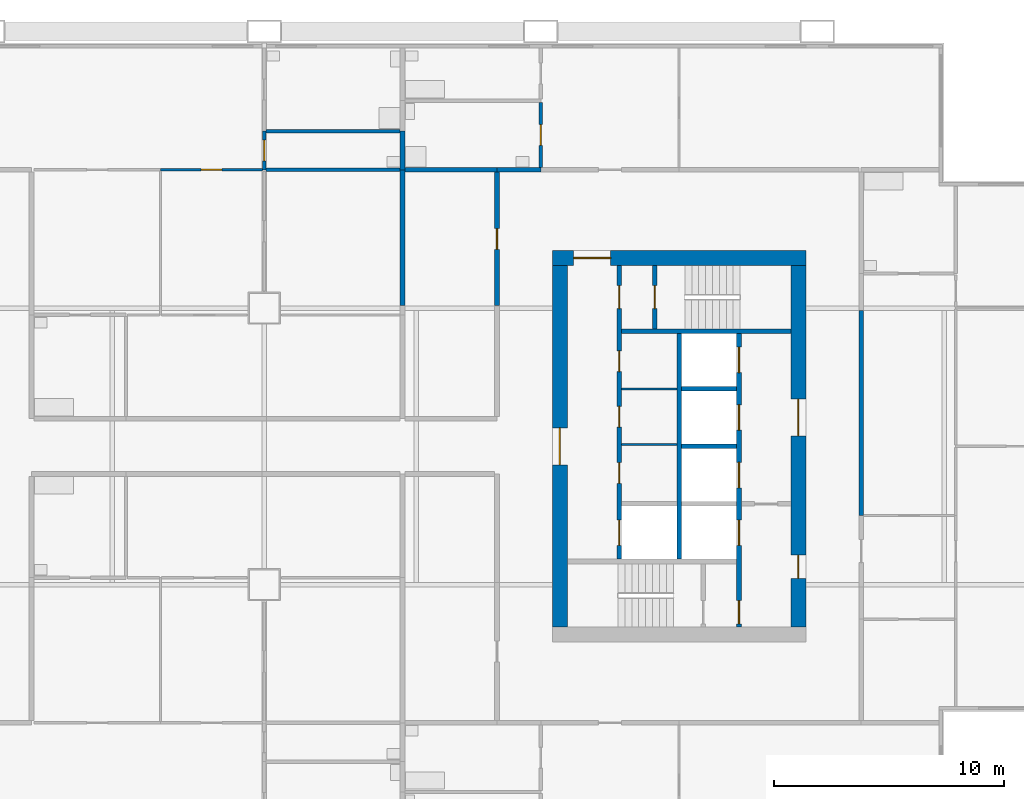
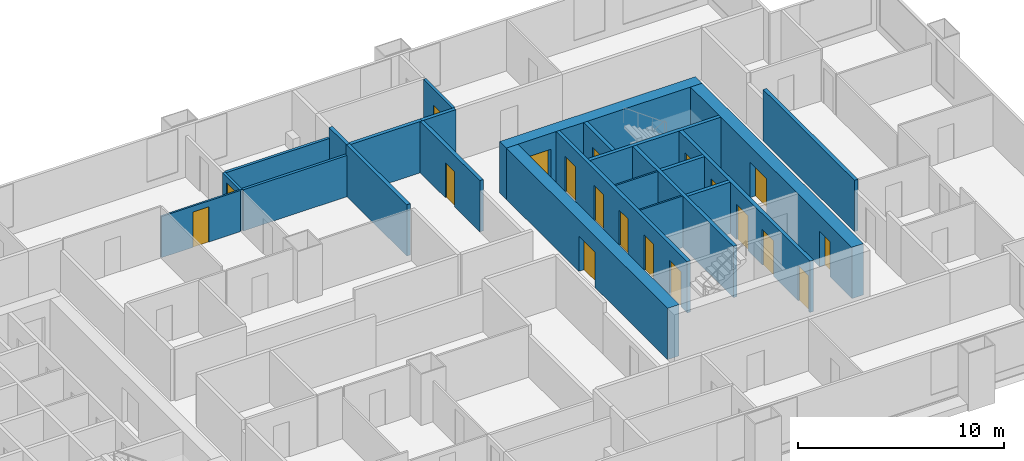
# One storey, part 6 of 10: 23 walls, 19 doors, 19 openings.
"""IFC4 building model written with IfcOpenShell, lengths in metres."""

from ifc_helpers import new_model, si_unit, direction, frame, frame_2d, origin, place, context, subcontext, project, spatial, rectangle, extrude, material, layer, layer_set, type_object, element, fill, save


model = new_model("IFC4")

# Units and contexts
model_context = context("Model", 3, precision=1e-05, world=origin(), true_north=direction((0.0, 1.0)))
body_context = subcontext(model_context, "Body", "Model", "MODEL_VIEW")
ifc_project = project(units=[si_unit("LENGTHUNIT", "METRE"), si_unit("AREAUNIT", "SQUARE_METRE"), si_unit("VOLUMEUNIT", "CUBIC_METRE"), si_unit("PLANEANGLEUNIT", "RADIAN"), si_unit("MASSUNIT", "GRAM", prefix="KILO")], contexts=[model_context])

# Site, building, storey
site_placement = place(None, origin())
site = spatial("IfcSite", under=ifc_project, at=site_placement, CompositionType="ELEMENT")
building_placement = place(site_placement, origin())
building = spatial("IfcBuilding", under=site, at=building_placement, Name="Kitamizu Gate Tower and Museum", CompositionType="ELEMENT")
storey_placement = place(building_placement, frame((0.0, 0.0, 117.300048828125)))
storey = spatial("IfcBuildingStorey", under=building, at=storey_placement, Name="L30", CompositionType="ELEMENT", Elevation=117.300048828125)

# Wall, opening, door
ifc_material_1 = material(Name="Concrete Fc60", Category="concrete")
ifc_layer_1 = layer(ifc_material_1, 0.64990234375)
ifc_layer_set_1 = layer_set([ifc_layer_1], Name="Concrete Fc60")
wall_type_1 = type_object("IfcWallType", Name="Core wall 650", PredefinedType="SHEAR", material=ifc_layer_set_1)
wall_1_placement = place(storey_placement, frame((59.5, 38.175048828125, 0.0), z_axis=(0.0, 0.0, 1.0), x_axis=(-1.0, 0.0, 0.0)))
wall_1 = element("IfcWall", 1, at=wall_1_placement, inside=storey, type_object=wall_type_1, Name="Core wall EN", PredefinedType="SHEAR", context=body_context, shape_type="SweptSolid", body=[
    extrude(rectangle(XDim=11.0, YDim=0.64990234375, at=frame_2d((5.5, 0.0))), origin(), (0.0, 0.0, 1.0), 3.050048828125),
])
opening_1_placement = place(wall_1_placement, frame((8.47509765625, 0.0, 0.0)))
opening_1 = element("IfcOpeningElement", 2, at=opening_1_placement, cuts=wall_1, Name="Opening L30-067", PredefinedType="OPENING", context=body_context, shape_type="SweptSolid", body=[
    extrude(rectangle(XDim=1.60009765625, YDim=2.10009765625, at=frame_2d((0.800048828125, 1.050048828125))), frame((0.0, 0.3349609375, 0.0), z_axis=(0.0, -1.0, 0.0), x_axis=(1.0, 0.0, 0.0)), (0.0, 0.0, 1.0), 0.669921875),
])
ifc_material_2 = material(Name="Timber door set", Category="wood")
door_type_1 = type_object("IfcDoorType", Name="Entrance door 1600", OperationType="DOUBLE_DOOR_SINGLE_SWING", PredefinedType="DOOR", material=ifc_material_2)
door_1_placement = place(opening_1_placement, origin())
door_1 = element("IfcDoor", 3, at=door_1_placement, inside=storey, type_object=door_type_1, Name="Lobby door L30-067", OperationType="DOUBLE_DOOR_SINGLE_SWING", OverallHeight=2.10009765625, OverallWidth=1.60009765625, PredefinedType="DOOR", context=body_context, shape_type="SweptSolid", body=[
    extrude(rectangle(XDim=1.60009765625, YDim=2.10009765625, at=frame_2d((0.800048828125, 1.050048828125))), frame((0.0, 0.02490234375, 0.0), z_axis=(0.0, -1.0, 0.0), x_axis=(1.0, 0.0, 0.0)), (0.0, 0.0, 1.0), 0.050048828125),
])
fill(opening_1, door_1)

# Wall, openings, doors
wall_2_placement = place(storey_placement, frame((59.175048828125, 22.14990234375, 0.0), z_axis=(0.0, 0.0, 1.0), x_axis=(0.0, 1.0, 0.0)))
wall_2 = element("IfcWall", 4, at=wall_2_placement, inside=storey, type_object=wall_type_1, Name="Core wall EOUT", PredefinedType="SHEAR", context=body_context, shape_type="SweptSolid", body=[
    extrude(rectangle(XDim=15.7001953125, YDim=0.64990234375, at=frame_2d((7.85009765625, 0.0))), origin(), (0.0, 0.0, 1.0), 3.050048828125),
])
opening_2_placement = place(wall_2_placement, frame((8.300048828125, 0.0, 0.0)))
opening_2 = element("IfcOpeningElement", 5, at=opening_2_placement, cuts=wall_2, Name="Opening L30-065", PredefinedType="OPENING", context=body_context, shape_type="SweptSolid", body=[
    extrude(rectangle(XDim=1.60009765625, YDim=2.10009765625, at=frame_2d((0.800048828125, 1.050048828125))), frame((0.0, 0.3349609375, 0.0), z_axis=(0.0, -1.0, 0.0), x_axis=(1.0, 0.0, 0.0)), (0.0, 0.0, 1.0), 0.669921875),
])
opening_3_placement = place(wall_2_placement, frame((2.125, 0.0, 0.0)))
opening_3 = element("IfcOpeningElement", 6, at=opening_3_placement, cuts=wall_2, Name="Opening L30-066", PredefinedType="OPENING", context=body_context, shape_type="SweptSolid", body=[
    extrude(rectangle(XDim=1.0, YDim=2.10009765625, at=frame_2d((0.5, 1.050048828125))), frame((0.0, 0.3349609375, 0.0), z_axis=(0.0, -1.0, 0.0), x_axis=(1.0, 0.0, 0.0)), (0.0, 0.0, 1.0), 0.669921875),
])
door_2_placement = place(opening_2_placement, origin())
door_2 = element("IfcDoor", 7, at=door_2_placement, inside=storey, type_object=door_type_1, Name="Lobby door L30-065", OperationType="DOUBLE_DOOR_SINGLE_SWING", OverallHeight=2.10009765625, OverallWidth=1.60009765625, PredefinedType="DOOR", context=body_context, shape_type="SweptSolid", body=[
    extrude(rectangle(XDim=1.60009765625, YDim=2.10009765625, at=frame_2d((0.800048828125, 1.050048828125))), frame((0.0, 0.02490234375, 0.0), z_axis=(0.0, -1.0, 0.0), x_axis=(1.0, 0.0, 0.0)), (0.0, 0.0, 1.0), 0.050048828125),
])
fill(opening_2, door_2)
ifc_material_3 = material(Name="Hollow metal door set")
door_type_2 = type_object("IfcDoorType", Name="Fire door 1000", OperationType="NOTDEFINED", PredefinedType="DOOR", material=ifc_material_3)
door_3_placement = place(opening_3_placement, origin())
door_3 = element("IfcDoor", 8, at=door_3_placement, inside=storey, type_object=door_type_2, Name="Fire-fighting lobby door L30-066", OperationType="SINGLE_SWING_LEFT", OverallHeight=2.10009765625, OverallWidth=1.0, PredefinedType="DOOR", context=body_context, shape_type="SweptSolid", body=[
    extrude(rectangle(XDim=1.0, YDim=2.10009765625, at=frame_2d((0.5, 1.050048828125))), frame((0.0, 0.02490234375, 0.0), z_axis=(0.0, -1.0, 0.0), x_axis=(1.0, 0.0, 0.0)), (0.0, 0.0, 1.0), 0.050048828125),
])
fill(opening_3, door_3)

# Wall, opening, door
wall_3_placement = place(storey_placement, frame((48.824951171875, 22.14990234375, 0.0), z_axis=(0.0, 0.0, 1.0), x_axis=(0.0, 1.0, 0.0)))
wall_3 = element("IfcWall", 9, at=wall_3_placement, inside=storey, type_object=wall_type_1, Name="Core wall EARC", PredefinedType="SHEAR", context=body_context, shape_type="SweptSolid", body=[
    extrude(rectangle(XDim=15.7001953125, YDim=0.64990234375, at=frame_2d((7.85009765625, 0.0))), origin(), (0.0, 0.0, 1.0), 3.050048828125),
])
opening_4_placement = place(wall_3_placement, frame((7.050048828125, 0.0, 0.0)))
opening_4 = element("IfcOpeningElement", 10, at=opening_4_placement, cuts=wall_3, Name="Opening L30-068", PredefinedType="OPENING", context=body_context, shape_type="SweptSolid", body=[
    extrude(rectangle(XDim=1.60009765625, YDim=2.10009765625, at=frame_2d((0.800048828125, 1.050048828125))), frame((0.0, 0.3349609375, 0.0), z_axis=(0.0, -1.0, 0.0), x_axis=(1.0, 0.0, 0.0)), (0.0, 0.0, 1.0), 0.669921875),
])
door_4_placement = place(opening_4_placement, origin())
door_4 = element("IfcDoor", 11, at=door_4_placement, inside=storey, type_object=door_type_1, Name="Lobby door L30-068", OperationType="DOUBLE_DOOR_SINGLE_SWING", OverallHeight=2.10009765625, OverallWidth=1.60009765625, PredefinedType="DOOR", context=body_context, shape_type="SweptSolid", body=[
    extrude(rectangle(XDim=1.60009765625, YDim=2.10009765625, at=frame_2d((0.800048828125, 1.050048828125))), frame((0.0, 0.02490234375, 0.0), z_axis=(0.0, -1.0, 0.0), x_axis=(1.0, 0.0, 0.0)), (0.0, 0.0, 1.0), 0.050048828125),
])
fill(opening_4, door_4)

# Walls
ifc_material_4 = material(Name="Gypsum board on galvanised stud")
ifc_layer_2 = layer(ifc_material_4, 0.10009765625)
ifc_layer_set_2 = layer_set([ifc_layer_2], Name="Gypsum board on galvanised stud")
wall_type_2 = type_object("IfcWallType", Name="Partition 100", PredefinedType="PARTITIONING", material=ifc_layer_set_2)
for number, where, z_axis, x_axis, name in (
    (12, (53.89990234375, 30.08203125, 0.0), (0.0, 0.0, 1.0), (-1.0, 0.0, 0.0), "Partition EPF1"),
    (13, (53.89990234375, 32.490966796875, 0.0), (0.0, 0.0, 1.0), (-1.0, 0.0, 0.0), "Partition EPF2"),
):
    element("IfcWall", number, at=place(storey_placement, frame(where, z_axis=z_axis, x_axis=x_axis)), inside=storey, type_object=wall_type_2, Name=name, PredefinedType="PARTITIONING", context=body_context, shape_type="SweptSolid", body=[
        extrude(rectangle(XDim=2.39990234375, YDim=0.10009765625, at=frame_2d((1.199951171875, 0.0))), origin(), (0.0, 0.0, 1.0), 3.050048828125),
    ])

# Wall, opening, door
ifc_material_5 = material(Name="Gypsum board on galvanised stud")
ifc_layer_3 = layer(ifc_material_5, 0.10009765625)
ifc_layer_set_3 = layer_set([ifc_layer_3], Name="Gypsum board on galvanised stud")
wall_type_3 = type_object("IfcWallType", Name="Partition 100 NOT RATED", PredefinedType="PARTITIONING", material=ifc_layer_set_3)
wall_4_placement = place(storey_placement, frame((31.5, 42.0, 0.0), z_axis=(0.0, 0.0, 1.0), x_axis=(1.0, 0.0, 0.0)))
wall_4 = element("IfcWall", 14, at=wall_4_placement, inside=storey, type_object=wall_type_3, Name="Partition L30-063", PredefinedType="PARTITIONING", context=body_context, shape_type="SweptSolid", body=[
    extrude(rectangle(XDim=4.425048828125, YDim=0.10009765625, at=frame_2d((2.21240234375, 0.0))), origin(), (0.0, 0.0, 1.0), 2.449951171875),
])
opening_5_placement = place(wall_4_placement, frame((1.762451171875, 0.0, 0.0)))
opening_5 = element("IfcOpeningElement", 15, at=opening_5_placement, cuts=wall_4, Name="Opening L30-023", PredefinedType="OPENING", context=body_context, shape_type="SweptSolid", body=[
    extrude(rectangle(XDim=0.89990234375, YDim=2.10009765625, at=frame_2d((0.449951171875, 1.050048828125))), frame((0.0, 0.06005859375, 0.0), z_axis=(0.0, -1.0, 0.0), x_axis=(1.0, 0.0, 0.0)), (0.0, 0.0, 1.0), 0.1201171875),
])
ifc_material_6 = material(Name="Timber door set", Category="wood")
door_type_3 = type_object("IfcDoorType", Name="Room door 900", OperationType="NOTDEFINED", PredefinedType="DOOR", material=ifc_material_6)
door_5_placement = place(opening_5_placement, frame((0.89990234375, 0.0, 0.0), x_axis=(-1.0, 0.0, 0.0)))
door_5 = element("IfcDoor", 16, at=door_5_placement, inside=storey, type_object=door_type_3, Name="Door L30-023", OperationType="SINGLE_SWING_LEFT", OverallHeight=2.10009765625, OverallWidth=0.89990234375, PredefinedType="DOOR", context=body_context, shape_type="SweptSolid", body=[
    extrude(rectangle(XDim=0.89990234375, YDim=2.10009765625, at=frame_2d((0.449951171875, 1.050048828125))), frame((0.0, 0.02490234375, 0.0), z_axis=(0.0, -1.0, 0.0), x_axis=(1.0, 0.0, 0.0)), (0.0, 0.0, 1.0), 0.050048828125),
])
fill(opening_5, door_5)

ifc_material_7 = material(Name="Gypsum board on galvanised stud")
ifc_layer_4 = layer(ifc_material_7, 0.14990234375)
ifc_layer_set_4 = layer_set([ifc_layer_4], Name="Gypsum board on galvanised stud")
wall_type_4 = type_object("IfcWallType", Name="Partition 150", PredefinedType="PARTITIONING", material=ifc_layer_set_4)
wall_5_placement = place(storey_placement, frame((36.0, 42.0, 0.0), z_axis=(0.0, 0.0, 1.0), x_axis=(0.0, 1.0, 0.0)))
wall_5 = element("IfcWall", 17, at=wall_5_placement, inside=storey, type_object=wall_type_4, Name="Partition L30-061", PredefinedType="PARTITIONING", context=body_context, shape_type="SweptSolid", body=[
    extrude(rectangle(XDim=1.679931640625, YDim=0.14990234375, at=frame_2d((0.83984375, 0.0))), origin(), (0.0, 0.0, 1.0), 2.449951171875),
])
opening_6_placement = place(wall_5_placement, frame((0.389892578125, 0.0, 0.0)))
opening_6 = element("IfcOpeningElement", 18, at=opening_6_placement, cuts=wall_5, Name="Opening L30-026", PredefinedType="OPENING", context=body_context, shape_type="SweptSolid", body=[
    extrude(rectangle(XDim=0.89990234375, YDim=2.10009765625, at=frame_2d((0.449951171875, 1.050048828125))), frame((0.0, 0.0849609375, 0.0), z_axis=(0.0, -1.0, 0.0), x_axis=(1.0, 0.0, 0.0)), (0.0, 0.0, 1.0), 0.169921875),
])
ifc_material_8 = material(Name="Timber door set", Category="wood")
door_type_4 = type_object("IfcDoorType", Name="Bathroom door 900", OperationType="NOTDEFINED", PredefinedType="DOOR", material=ifc_material_8)
door_6_placement = place(opening_6_placement, frame((0.89990234375, 0.0, 0.0), x_axis=(-1.0, 0.0, 0.0)))
door_6 = element("IfcDoor", 19, at=door_6_placement, inside=storey, type_object=door_type_4, Name="Bathroom door L30-026", OperationType="SINGLE_SWING_RIGHT", OverallHeight=2.10009765625, OverallWidth=0.89990234375, PredefinedType="DOOR", context=body_context, shape_type="SweptSolid", body=[
    extrude(rectangle(XDim=0.89990234375, YDim=2.10009765625, at=frame_2d((0.449951171875, 1.050048828125))), frame((0.0, 0.02490234375, 0.0), z_axis=(0.0, -1.0, 0.0), x_axis=(1.0, 0.0, 0.0)), (0.0, 0.0, 1.0), 0.050048828125),
])
fill(opening_6, door_6)

# Walls
for number, where, z_axis, x_axis, name in (
    (20, (36.074951171875, 43.679931640625, 0.0), (0.0, 0.0, 1.0), (1.0, 0.0, 0.0), "Partition L30-065"),
    (21, (36.074951171875, 42.0, 0.0), (0.0, 0.0, 1.0), (1.0, 0.0, 0.0), "Partition L30-068"),
):
    element("IfcWall", number, at=place(storey_placement, frame(where, z_axis=z_axis, x_axis=x_axis)), inside=storey, type_object=wall_type_4, Name=name, PredefinedType="PARTITIONING", context=body_context, shape_type="SweptSolid", body=[
        extrude(rectangle(XDim=5.824951171875, YDim=0.14990234375, at=frame_2d((2.91259765625, 0.0))), origin(), (0.0, 0.0, 1.0), 2.449951171875),
    ])

# Wall, opening, door
wall_6_placement = place(storey_placement, frame((48.0, 42.10009765625, 0.0), z_axis=(0.0, 0.0, 1.0), x_axis=(0.0, 1.0, 0.0)))
wall_6 = element("IfcWall", 22, at=wall_6_placement, inside=storey, type_object=wall_type_4, Name="Partition L30-118", PredefinedType="PARTITIONING", context=body_context, shape_type="SweptSolid", body=[
    extrude(rectangle(XDim=2.824951171875, YDim=0.14990234375, at=frame_2d((1.41259765625, 0.0))), origin(), (0.0, 0.0, 1.0), 3.050048828125),
])
opening_7_placement = place(wall_6_placement, frame((0.96240234375, 0.0, 0.0)))
opening_7 = element("IfcOpeningElement", 23, at=opening_7_placement, cuts=wall_6, Name="Opening L30-044", PredefinedType="OPENING", context=body_context, shape_type="SweptSolid", body=[
    extrude(rectangle(XDim=0.89990234375, YDim=2.10009765625, at=frame_2d((0.449951171875, 1.050048828125))), frame((0.0, 0.0849609375, 0.0), z_axis=(0.0, -1.0, 0.0), x_axis=(1.0, 0.0, 0.0)), (0.0, 0.0, 1.0), 0.169921875),
])
door_7_placement = place(opening_7_placement, origin())
door_7 = element("IfcDoor", 24, at=door_7_placement, inside=storey, type_object=door_type_4, Name="Bathroom door L30-044", OperationType="SINGLE_SWING_LEFT", OverallHeight=2.10009765625, OverallWidth=0.89990234375, PredefinedType="DOOR", context=body_context, shape_type="SweptSolid", body=[
    extrude(rectangle(XDim=0.89990234375, YDim=2.10009765625, at=frame_2d((0.449951171875, 1.050048828125))), frame((0.0, 0.02490234375, 0.0), z_axis=(0.0, -1.0, 0.0), x_axis=(1.0, 0.0, 0.0)), (0.0, 0.0, 1.0), 0.050048828125),
])
fill(opening_7, door_7)

# Walls
ifc_material_9 = material(Name="Gypsum board on galvanised stud")
ifc_layer_5 = layer(ifc_material_9, 0.199951171875)
ifc_layer_set_5 = layer_set([ifc_layer_5], Name="Gypsum board on galvanised stud")
wall_type_5 = type_object("IfcWallType", Name="Partition 200", PredefinedType="PARTITIONING", material=ifc_layer_set_5)
wall_7_placement = place(storey_placement, frame((42.0, 42.0, 0.0), z_axis=(0.0, 0.0, 1.0), x_axis=(0.0, 1.0, 0.0)))
element("IfcWall", 25, at=wall_7_placement, inside=storey, type_object=wall_type_5, Name="Partition L30-069", PredefinedType="PARTITIONING", context=body_context, shape_type="SweptSolid", body=[
    extrude(rectangle(XDim=1.679931640625, YDim=0.199951171875, at=frame_2d((0.83984375, 0.0))), origin(), (0.0, 0.0, 1.0), 3.050048828125),
])
wall_8_placement = place(storey_placement, frame((42.0, 36.10009765625, 0.0), z_axis=(0.0, 0.0, 1.0), x_axis=(0.0, 1.0, 0.0)))
element("IfcWall", 26, at=wall_8_placement, inside=storey, type_object=wall_type_5, Name="Partition L30-079", PredefinedType="PARTITIONING", context=body_context, shape_type="SweptSolid", body=[
    extrude(rectangle(XDim=5.89990234375, YDim=0.199951171875, at=frame_2d((2.949951171875, 0.0))), origin(), (0.0, 0.0, 1.0), 3.050048828125),
])
wall_9_placement = place(storey_placement, frame((61.89990234375, 35.89990234375, 0.0), z_axis=(0.0, 0.0, 1.0), x_axis=(0.0, -1.0, 0.0)))
element("IfcWall", 27, at=wall_9_placement, inside=storey, type_object=wall_type_5, Name="Partition L30-114", PredefinedType="PARTITIONING", context=body_context, shape_type="SweptSolid", body=[
    extrude(rectangle(XDim=8.89990234375, YDim=0.199951171875, at=frame_2d((4.449951171875, 0.0))), origin(), (0.0, 0.0, 1.0), 3.050048828125),
])
wall_10_placement = place(storey_placement, frame((42.10009765625, 42.0, 0.0), z_axis=(0.0, 0.0, 1.0), x_axis=(1.0, 0.0, 0.0)))
element("IfcWall", 28, at=wall_10_placement, inside=storey, type_object=wall_type_5, Name="Partition L30-119", PredefinedType="PARTITIONING", context=body_context, shape_type="SweptSolid", body=[
    extrude(rectangle(XDim=4.0, YDim=0.199951171875, at=frame_2d((2.0, 0.0))), origin(), (0.0, 0.0, 1.0), 3.050048828125),
])
wall_11_placement = place(storey_placement, frame((46.10009765625, 42.0, 0.0), z_axis=(0.0, 0.0, 1.0), x_axis=(1.0, 0.0, 0.0)))
element("IfcWall", 29, at=wall_11_placement, inside=storey, type_object=wall_type_5, Name="Partition L30-120", PredefinedType="PARTITIONING", context=body_context, shape_type="SweptSolid", body=[
    extrude(rectangle(XDim=1.89990234375, YDim=0.199951171875, at=frame_2d((0.949951171875, 0.0))), origin(), (0.0, 0.0, 1.0), 3.050048828125),
])

# Wall, opening, door
wall_12_placement = place(storey_placement, frame((46.10009765625, 36.10009765625, 0.0), z_axis=(0.0, 0.0, 1.0), x_axis=(0.0, 1.0, 0.0)))
wall_12 = element("IfcWall", 30, at=wall_12_placement, inside=storey, type_object=wall_type_5, Name="Partition L30-127", PredefinedType="PARTITIONING", context=body_context, shape_type="SweptSolid", body=[
    extrude(rectangle(XDim=5.7998046875, YDim=0.199951171875, at=frame_2d((2.89990234375, 0.0))), origin(), (0.0, 0.0, 1.0), 3.050048828125),
])
opening_8_placement = place(wall_12_placement, frame((2.449951171875, 0.0, 0.0)))
opening_8 = element("IfcOpeningElement", 31, at=opening_8_placement, cuts=wall_12, Name="Opening L30-047", PredefinedType="OPENING", context=body_context, shape_type="SweptSolid", body=[
    extrude(rectangle(XDim=0.89990234375, YDim=2.10009765625, at=frame_2d((0.449951171875, 1.050048828125))), frame((0.0, 0.10986328125, 0.0), z_axis=(0.0, -1.0, 0.0), x_axis=(1.0, 0.0, 0.0)), (0.0, 0.0, 1.0), 0.219970703125),
])
door_8_placement = place(opening_8_placement, origin())
door_8 = element("IfcDoor", 32, at=door_8_placement, inside=storey, type_object=door_type_3, Name="Door L30-047", OperationType="SINGLE_SWING_RIGHT", OverallHeight=2.10009765625, OverallWidth=0.89990234375, PredefinedType="DOOR", context=body_context, shape_type="SweptSolid", body=[
    extrude(rectangle(XDim=0.89990234375, YDim=2.10009765625, at=frame_2d((0.449951171875, 1.050048828125))), frame((0.0, 0.02490234375, 0.0), z_axis=(0.0, -1.0, 0.0), x_axis=(1.0, 0.0, 0.0)), (0.0, 0.0, 1.0), 0.050048828125),
])
fill(opening_8, door_8)

# Wall, openings, doors
ifc_material_10 = material(Name="Concrete Fc42", Category="concrete")
ifc_layer_6 = layer(ifc_material_10, 0.199951171875)
ifc_layer_set_6 = layer_set([ifc_layer_6], Name="Concrete Fc42")
wall_type_6 = type_object("IfcWallType", Name="Shaft wall 200", PredefinedType="SOLIDWALL", material=ifc_layer_set_6)
wall_13_placement = place(storey_placement, frame((56.60009765625, 22.14990234375, 0.0), z_axis=(0.0, 0.0, 1.0), x_axis=(0.0, 1.0, 0.0)))
wall_13 = element("IfcWall", 33, at=wall_13_placement, inside=storey, type_object=wall_type_6, Name="Shaft wall EWEST", PredefinedType="SOLIDWALL", context=body_context, shape_type="SweptSolid", body=[
    extrude(rectangle(XDim=12.75, YDim=0.199951171875, at=frame_2d((6.375, 0.0))), origin(), (0.0, 0.0, 1.0), 3.050048828125),
])
opening_9_placement = place(wall_13_placement, frame((3.550048828125, 0.0, 0.0)))
opening_9 = element("IfcOpeningElement", 34, at=opening_9_placement, cuts=wall_13, Name="Opening LD", PredefinedType="OPENING", context=body_context, shape_type="SweptSolid", body=[
    extrude(rectangle(XDim=1.10009765625, YDim=2.10009765625, at=frame_2d((0.550048828125, 1.050048828125))), frame((0.0, 0.10986328125, 0.0), z_axis=(0.0, -1.0, 0.0), x_axis=(1.0, 0.0, 0.0)), (0.0, 0.0, 1.0), 0.219970703125),
])
opening_10_placement = place(wall_13_placement, frame((6.050048828125, 0.0, 0.0)))
opening_10 = element("IfcOpeningElement", 35, at=opening_10_placement, cuts=wall_13, Name="Opening LD", PredefinedType="OPENING", context=body_context, shape_type="SweptSolid", body=[
    extrude(rectangle(XDim=1.10009765625, YDim=2.10009765625, at=frame_2d((0.550048828125, 1.050048828125))), frame((0.0, 0.10986328125, 0.0), z_axis=(0.0, -1.0, 0.0), x_axis=(1.0, 0.0, 0.0)), (0.0, 0.0, 1.0), 0.219970703125),
])
opening_11_placement = place(wall_13_placement, frame((8.550048828125, 0.0, 0.0)))
opening_11 = element("IfcOpeningElement", 36, at=opening_11_placement, cuts=wall_13, Name="Opening LD", PredefinedType="OPENING", context=body_context, shape_type="SweptSolid", body=[
    extrude(rectangle(XDim=1.10009765625, YDim=2.10009765625, at=frame_2d((0.550048828125, 1.050048828125))), frame((0.0, 0.10986328125, 0.0), z_axis=(0.0, -1.0, 0.0), x_axis=(1.0, 0.0, 0.0)), (0.0, 0.0, 1.0), 0.219970703125),
])
opening_12_placement = place(wall_13_placement, frame((11.050048828125, 0.0, 0.0)))
opening_12 = element("IfcOpeningElement", 37, at=opening_12_placement, cuts=wall_13, Name="Opening LD", PredefinedType="OPENING", context=body_context, shape_type="SweptSolid", body=[
    extrude(rectangle(XDim=1.10009765625, YDim=2.10009765625, at=frame_2d((0.550048828125, 1.050048828125))), frame((0.0, 0.10986328125, 0.0), z_axis=(0.0, -1.0, 0.0), x_axis=(1.0, 0.0, 0.0)), (0.0, 0.0, 1.0), 0.219970703125),
])
opening_13_placement = place(wall_13_placement, frame((0.14990234375, 0.0, 0.0)))
opening_13 = element("IfcOpeningElement", 38, at=opening_13_placement, cuts=wall_13, Name="Opening L30-061", PredefinedType="OPENING", context=body_context, shape_type="SweptSolid", body=[
    extrude(rectangle(XDim=1.0, YDim=2.10009765625, at=frame_2d((0.5, 1.050048828125))), frame((0.0, 0.10986328125, 0.0), z_axis=(0.0, -1.0, 0.0), x_axis=(1.0, 0.0, 0.0)), (0.0, 0.0, 1.0), 0.219970703125),
])
door_9_placement = place(opening_13_placement, origin())
door_9 = element("IfcDoor", 39, at=door_9_placement, inside=storey, type_object=door_type_2, Name="Stair lobby door L30-061", OperationType="SINGLE_SWING_RIGHT", OverallHeight=2.10009765625, OverallWidth=1.0, PredefinedType="DOOR", context=body_context, shape_type="SweptSolid", body=[
    extrude(rectangle(XDim=1.0, YDim=2.10009765625, at=frame_2d((0.5, 1.050048828125))), frame((0.0, 0.02490234375, 0.0), z_axis=(0.0, -1.0, 0.0), x_axis=(1.0, 0.0, 0.0)), (0.0, 0.0, 1.0), 0.050048828125),
])
fill(opening_13, door_9)
ifc_material_11 = material(Name="Hollow metal door set")
door_type_5 = type_object("IfcDoorType", Name="Landing door 1100", OperationType="SLIDING_TO_LEFT", PredefinedType="DOOR", material=ifc_material_11)
door_10_placement = place(opening_9_placement, origin())
door_10 = element("IfcDoor", 40, at=door_10_placement, inside=storey, type_object=door_type_5, Name="Landing door EFF1", OperationType="SLIDING_TO_LEFT", OverallHeight=2.10009765625, OverallWidth=1.10009765625, PredefinedType="DOOR", context=body_context, shape_type="SweptSolid", body=[
    extrude(rectangle(XDim=1.10009765625, YDim=2.10009765625, at=frame_2d((0.550048828125, 1.050048828125))), frame((0.0, 0.02490234375, 0.0), z_axis=(0.0, -1.0, 0.0), x_axis=(1.0, 0.0, 0.0)), (0.0, 0.0, 1.0), 0.050048828125),
])
fill(opening_9, door_10)
door_11_placement = place(opening_10_placement, origin())
door_11 = element("IfcDoor", 41, at=door_11_placement, inside=storey, type_object=door_type_5, Name="Landing door EL1", OperationType="SLIDING_TO_LEFT", OverallHeight=2.10009765625, OverallWidth=1.10009765625, PredefinedType="DOOR", context=body_context, shape_type="SweptSolid", body=[
    extrude(rectangle(XDim=1.10009765625, YDim=2.10009765625, at=frame_2d((0.550048828125, 1.050048828125))), frame((0.0, 0.02490234375, 0.0), z_axis=(0.0, -1.0, 0.0), x_axis=(1.0, 0.0, 0.0)), (0.0, 0.0, 1.0), 0.050048828125),
])
fill(opening_10, door_11)
door_12_placement = place(opening_11_placement, origin())
door_12 = element("IfcDoor", 42, at=door_12_placement, inside=storey, type_object=door_type_5, Name="Landing door EL2", OperationType="SLIDING_TO_LEFT", OverallHeight=2.10009765625, OverallWidth=1.10009765625, PredefinedType="DOOR", context=body_context, shape_type="SweptSolid", body=[
    extrude(rectangle(XDim=1.10009765625, YDim=2.10009765625, at=frame_2d((0.550048828125, 1.050048828125))), frame((0.0, 0.02490234375, 0.0), z_axis=(0.0, -1.0, 0.0), x_axis=(1.0, 0.0, 0.0)), (0.0, 0.0, 1.0), 0.050048828125),
])
fill(opening_11, door_12)
door_13_placement = place(opening_12_placement, origin())
door_13 = element("IfcDoor", 43, at=door_13_placement, inside=storey, type_object=door_type_5, Name="Landing door EL3", OperationType="SLIDING_TO_LEFT", OverallHeight=2.10009765625, OverallWidth=1.10009765625, PredefinedType="DOOR", context=body_context, shape_type="SweptSolid", body=[
    extrude(rectangle(XDim=1.10009765625, YDim=2.10009765625, at=frame_2d((0.550048828125, 1.050048828125))), frame((0.0, 0.02490234375, 0.0), z_axis=(0.0, -1.0, 0.0), x_axis=(1.0, 0.0, 0.0)), (0.0, 0.0, 1.0), 0.050048828125),
])
fill(opening_12, door_13)

wall_14_placement = place(storey_placement, frame((51.39990234375, 25.10009765625, 0.0), z_axis=(0.0, 0.0, 1.0), x_axis=(0.0, 1.0, 0.0)))
wall_14 = element("IfcWall", 44, at=wall_14_placement, inside=storey, type_object=wall_type_6, Name="Shaft wall EEAST", PredefinedType="SOLIDWALL", context=body_context, shape_type="SweptSolid", body=[
    extrude(rectangle(XDim=12.75, YDim=0.199951171875, at=frame_2d((6.375, 0.0))), origin(), (0.0, 0.0, 1.0), 3.050048828125),
])
opening_14_placement = place(wall_14_placement, frame((0.60009765625, 0.0, 0.0)))
opening_14 = element("IfcOpeningElement", 45, at=opening_14_placement, cuts=wall_14, Name="Opening LD", PredefinedType="OPENING", context=body_context, shape_type="SweptSolid", body=[
    extrude(rectangle(XDim=1.10009765625, YDim=2.10009765625, at=frame_2d((0.550048828125, 1.050048828125))), frame((0.0, 0.10986328125, 0.0), z_axis=(0.0, -1.0, 0.0), x_axis=(1.0, 0.0, 0.0)), (0.0, 0.0, 1.0), 0.219970703125),
])
opening_15_placement = place(wall_14_placement, frame((10.875, 0.0, 0.0)))
opening_15 = element("IfcOpeningElement", 46, at=opening_15_placement, cuts=wall_14, Name="Opening L30-062", PredefinedType="OPENING", context=body_context, shape_type="SweptSolid", body=[
    extrude(rectangle(XDim=1.0, YDim=2.10009765625, at=frame_2d((0.5, 1.050048828125))), frame((0.0, 0.10986328125, 0.0), z_axis=(0.0, -1.0, 0.0), x_axis=(1.0, 0.0, 0.0)), (0.0, 0.0, 1.0), 0.219970703125),
])
opening_16_placement = place(wall_14_placement, frame((3.291015625, 0.0, 0.0)))
opening_16 = element("IfcOpeningElement", 47, at=opening_16_placement, cuts=wall_14, Name="Opening L30-069", PredefinedType="OPENING", context=body_context, shape_type="SweptSolid", body=[
    extrude(rectangle(XDim=0.89990234375, YDim=2.10009765625, at=frame_2d((0.449951171875, 1.050048828125))), frame((0.0, 0.10986328125, 0.0), z_axis=(0.0, -1.0, 0.0), x_axis=(1.0, 0.0, 0.0)), (0.0, 0.0, 1.0), 0.219970703125),
])
opening_17_placement = place(wall_14_placement, frame((5.736572265625, 0.0, 0.0)))
opening_17 = element("IfcOpeningElement", 48, at=opening_17_placement, cuts=wall_14, Name="Opening L30-070", PredefinedType="OPENING", context=body_context, shape_type="SweptSolid", body=[
    extrude(rectangle(XDim=0.89990234375, YDim=2.10009765625, at=frame_2d((0.449951171875, 1.050048828125))), frame((0.0, 0.10986328125, 0.0), z_axis=(0.0, -1.0, 0.0), x_axis=(1.0, 0.0, 0.0)), (0.0, 0.0, 1.0), 0.219970703125),
])
opening_18_placement = place(wall_14_placement, frame((8.1455078125, 0.0, 0.0)))
opening_18 = element("IfcOpeningElement", 49, at=opening_18_placement, cuts=wall_14, Name="Opening L30-071", PredefinedType="OPENING", context=body_context, shape_type="SweptSolid", body=[
    extrude(rectangle(XDim=0.89990234375, YDim=2.10009765625, at=frame_2d((0.449951171875, 1.050048828125))), frame((0.0, 0.10986328125, 0.0), z_axis=(0.0, -1.0, 0.0), x_axis=(1.0, 0.0, 0.0)), (0.0, 0.0, 1.0), 0.219970703125),
])
door_14_placement = place(opening_15_placement, frame((1.0, 0.0, 0.0), x_axis=(-1.0, 0.0, 0.0)))
door_14 = element("IfcDoor", 50, at=door_14_placement, inside=storey, type_object=door_type_2, Name="Stair lobby door L30-062", OperationType="SINGLE_SWING_LEFT", OverallHeight=2.10009765625, OverallWidth=1.0, PredefinedType="DOOR", context=body_context, shape_type="SweptSolid", body=[
    extrude(rectangle(XDim=1.0, YDim=2.10009765625, at=frame_2d((0.5, 1.050048828125))), frame((0.0, 0.02490234375, 0.0), z_axis=(0.0, -1.0, 0.0), x_axis=(1.0, 0.0, 0.0)), (0.0, 0.0, 1.0), 0.050048828125),
])
fill(opening_15, door_14)
door_15_placement = place(opening_14_placement, origin())
door_15 = element("IfcDoor", 51, at=door_15_placement, inside=storey, type_object=door_type_5, Name="Landing door ESV1", OperationType="SLIDING_TO_LEFT", OverallHeight=2.10009765625, OverallWidth=1.10009765625, PredefinedType="DOOR", context=body_context, shape_type="SweptSolid", body=[
    extrude(rectangle(XDim=1.10009765625, YDim=2.10009765625, at=frame_2d((0.550048828125, 1.050048828125))), frame((0.0, 0.02490234375, 0.0), z_axis=(0.0, -1.0, 0.0), x_axis=(1.0, 0.0, 0.0)), (0.0, 0.0, 1.0), 0.050048828125),
])
fill(opening_14, door_15)
ifc_material_12 = material(Name="Timber door set", Category="wood")
door_type_6 = type_object("IfcDoorType", Name="Service door 900", OperationType="NOTDEFINED", PredefinedType="DOOR", material=ifc_material_12)
door_16_placement = place(opening_16_placement, frame((0.89990234375, 0.0, 0.0), x_axis=(-1.0, 0.0, 0.0)))
door_16 = element("IfcDoor", 52, at=door_16_placement, inside=storey, type_object=door_type_6, Name="Service door L30-069", OperationType="SINGLE_SWING_LEFT", OverallHeight=2.10009765625, OverallWidth=0.89990234375, PredefinedType="DOOR", context=body_context, shape_type="SweptSolid", body=[
    extrude(rectangle(XDim=0.89990234375, YDim=2.10009765625, at=frame_2d((0.449951171875, 1.050048828125))), frame((0.0, 0.02490234375, 0.0), z_axis=(0.0, -1.0, 0.0), x_axis=(1.0, 0.0, 0.0)), (0.0, 0.0, 1.0), 0.050048828125),
])
fill(opening_16, door_16)
door_17_placement = place(opening_17_placement, frame((0.89990234375, 0.0, 0.0), x_axis=(-1.0, 0.0, 0.0)))
door_17 = element("IfcDoor", 53, at=door_17_placement, inside=storey, type_object=door_type_6, Name="Service door L30-070", OperationType="SINGLE_SWING_RIGHT", OverallHeight=2.10009765625, OverallWidth=0.89990234375, PredefinedType="DOOR", context=body_context, shape_type="SweptSolid", body=[
    extrude(rectangle(XDim=0.89990234375, YDim=2.10009765625, at=frame_2d((0.449951171875, 1.050048828125))), frame((0.0, 0.02490234375, 0.0), z_axis=(0.0, -1.0, 0.0), x_axis=(1.0, 0.0, 0.0)), (0.0, 0.0, 1.0), 0.050048828125),
])
fill(opening_17, door_17)
door_18_placement = place(opening_18_placement, frame((0.89990234375, 0.0, 0.0), x_axis=(-1.0, 0.0, 0.0)))
door_18 = element("IfcDoor", 54, at=door_18_placement, inside=storey, type_object=door_type_6, Name="Service door L30-071", OperationType="SINGLE_SWING_LEFT", OverallHeight=2.10009765625, OverallWidth=0.89990234375, PredefinedType="DOOR", context=body_context, shape_type="SweptSolid", body=[
    extrude(rectangle(XDim=0.89990234375, YDim=2.10009765625, at=frame_2d((0.449951171875, 1.050048828125))), frame((0.0, 0.02490234375, 0.0), z_axis=(0.0, -1.0, 0.0), x_axis=(1.0, 0.0, 0.0)), (0.0, 0.0, 1.0), 0.050048828125),
])
fill(opening_18, door_18)

# Walls
wall_15_placement = place(storey_placement, frame((54.0, 25.10009765625, 0.0), z_axis=(0.0, 0.0, 1.0), x_axis=(0.0, 1.0, 0.0)))
element("IfcWall", 55, at=wall_15_placement, inside=storey, type_object=wall_type_6, Name="Shaft wall EMID", PredefinedType="SOLIDWALL", context=body_context, shape_type="SweptSolid", body=[
    extrude(rectangle(XDim=9.7998046875, YDim=0.199951171875, at=frame_2d((4.89990234375, 0.0))), origin(), (0.0, 0.0, 1.0), 3.050048828125),
])
wall_16_placement = place(storey_placement, frame((58.85009765625, 35.0, 0.0), z_axis=(0.0, 0.0, 1.0), x_axis=(-1.0, 0.0, 0.0)))
element("IfcWall", 56, at=wall_16_placement, inside=storey, type_object=wall_type_6, Name="Shaft wall ENB", PredefinedType="SOLIDWALL", context=body_context, shape_type="SweptSolid", body=[
    extrude(rectangle(XDim=7.35009765625, YDim=0.199951171875, at=frame_2d((3.675048828125, 0.0))), origin(), (0.0, 0.0, 1.0), 3.050048828125),
])

# Wall, opening, door
wall_17_placement = place(storey_placement, frame((52.949951171875, 35.10009765625, 0.0), z_axis=(0.0, 0.0, 1.0), x_axis=(0.0, 1.0, 0.0)))
wall_17 = element("IfcWall", 57, at=wall_17_placement, inside=storey, type_object=wall_type_6, Name="Shaft wall ENZ", PredefinedType="SOLIDWALL", context=body_context, shape_type="SweptSolid", body=[
    extrude(rectangle(XDim=2.75, YDim=0.199951171875, at=frame_2d((1.375, 0.0))), origin(), (0.0, 0.0, 1.0), 3.050048828125),
])
opening_19_placement = place(wall_17_placement, frame((0.875, 0.0, 0.0)))
opening_19 = element("IfcOpeningElement", 58, at=opening_19_placement, cuts=wall_17, Name="Opening L30-063", PredefinedType="OPENING", context=body_context, shape_type="SweptSolid", body=[
    extrude(rectangle(XDim=1.0, YDim=2.10009765625, at=frame_2d((0.5, 1.050048828125))), frame((0.0, 0.10986328125, 0.0), z_axis=(0.0, -1.0, 0.0), x_axis=(1.0, 0.0, 0.0)), (0.0, 0.0, 1.0), 0.219970703125),
])
door_19_placement = place(opening_19_placement, frame((1.0, 0.0, 0.0), x_axis=(-1.0, 0.0, 0.0)))
door_19 = element("IfcDoor", 59, at=door_19_placement, inside=storey, type_object=door_type_2, Name="Stair door L30-063", OperationType="SINGLE_SWING_RIGHT", OverallHeight=2.10009765625, OverallWidth=1.0, PredefinedType="DOOR", context=body_context, shape_type="SweptSolid", body=[
    extrude(rectangle(XDim=1.0, YDim=2.10009765625, at=frame_2d((0.5, 1.050048828125))), frame((0.0, 0.02490234375, 0.0), z_axis=(0.0, -1.0, 0.0), x_axis=(1.0, 0.0, 0.0)), (0.0, 0.0, 1.0), 0.050048828125),
])
fill(opening_19, door_19)

# Walls
for number, where, z_axis, x_axis, name in (
    (60, (56.5, 30.0, 0.0), (0.0, 0.0, 1.0), (-1.0, 0.0, 0.0), "Shaft wall EDVW1"),
    (61, (56.5, 32.5, 0.0), (0.0, 0.0, 1.0), (-1.0, 0.0, 0.0), "Shaft wall EDVW2"),
):
    element("IfcWall", number, at=place(storey_placement, frame(where, z_axis=z_axis, x_axis=x_axis)), inside=storey, type_object=wall_type_6, Name=name, PredefinedType="SOLIDWALL", context=body_context, shape_type="SweptSolid", body=[
        extrude(rectangle(XDim=2.39990234375, YDim=0.199951171875, at=frame_2d((1.199951171875, 0.0))), origin(), (0.0, 0.0, 1.0), 3.050048828125),
    ])

save(model, "model.ifc")
